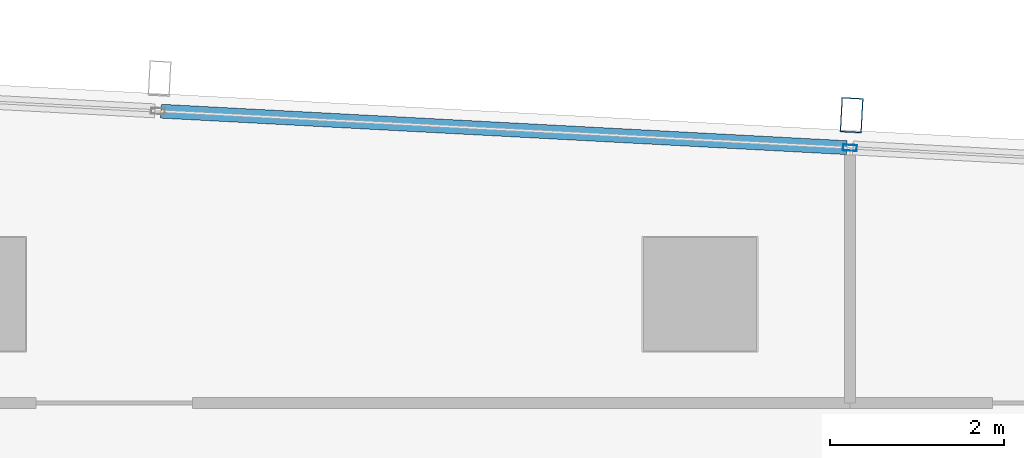
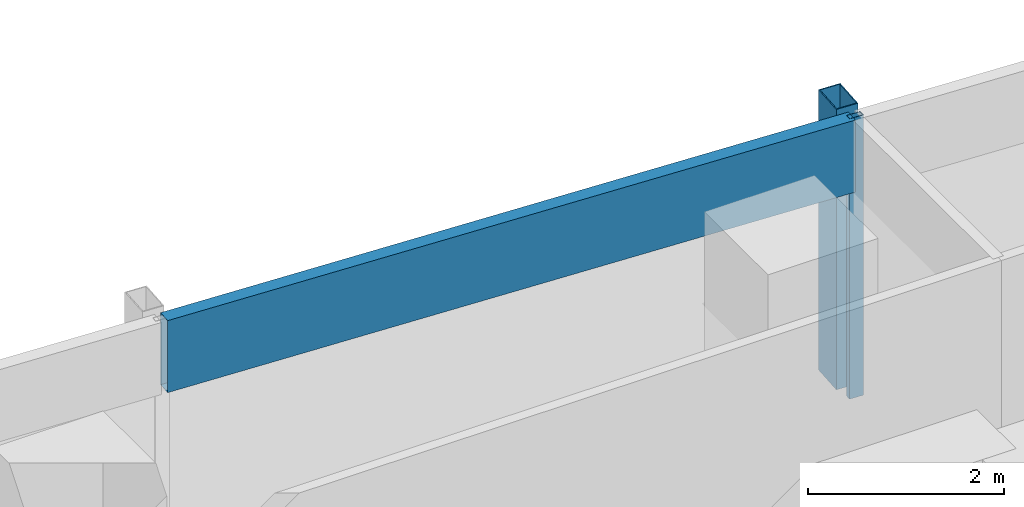
# One storey, part 19 of 29: 3 members, 1 element without a shape of its own.
"""IFC4 building model written with IfcOpenShell, lengths in metres."""

from ifc_helpers import new_model, si_unit, direction, frame, origin, origin_2d, place, context, subcontext, project, spatial, hollow_rectangle, extrude, material, material_profile, profile_set, type_object, element, aggregate, save


model = new_model("IFC4")

# Units and contexts
model_context = context("Model", 3, precision=1e-05, world=origin(), true_north=direction((0.0, 1.0)))
body_context = subcontext(model_context, "Body", "Model", "MODEL_VIEW")
ifc_project = project(units=[si_unit("LENGTHUNIT", "METRE"), si_unit("AREAUNIT", "SQUARE_METRE"), si_unit("VOLUMEUNIT", "CUBIC_METRE"), si_unit("PLANEANGLEUNIT", "RADIAN"), si_unit("MASSUNIT", "GRAM", prefix="KILO")], contexts=[model_context])

# Site, building, storey
site_placement = place(None, origin())
site = spatial("IfcSite", under=ifc_project, at=site_placement, CompositionType="ELEMENT")
building_placement = place(site_placement, origin())
building = spatial("IfcBuilding", under=site, at=building_placement, Name="Rekha Terrace Tower", CompositionType="ELEMENT")
storey_placement = place(building_placement, frame((0.0, 0.0, 280.10009765625)))
storey = spatial("IfcBuildingStorey", under=building, at=storey_placement, Name="L71", CompositionType="ELEMENT", Elevation=280.10009765625)

# Curtain wall, members
ifc_material_1 = material(Name="Aluminium framing", Category="aluminium")
curtain_wall_type = type_object("IfcCurtainWallType", Name="CW3 north unitised glazing", PredefinedType="USERDEFINED", material=ifc_material_1)
curtain_wall_placement = place(storey_placement, origin())
curtain_wall = element("IfcCurtainWall", 1, at=curtain_wall_placement, inside=storey, type_object=curtain_wall_type, Name="CW3 unitised curtain wall", ObjectType="UNITISED CURTAIN WALL", PredefinedType="USERDEFINED")
ifc_material_2 = material(Name="Steel S355 with fluorocarbon finish", Category="steel")
ifc_material_profile_1 = material_profile(ifc_material_2, hollow_rectangle(XDim=0.25, YDim=0.39990234375, WallThickness=0.012451171875, at=origin_2d()), Name="RHS400x250x12.5")
ifc_profile_set_1 = profile_set([ifc_material_profile_1], Name="Steel S355 with fluorocarbon finish")
member_type_1 = type_object("IfcMemberType", Name="BL1 facade blade RHS 400 x 250", PredefinedType="USERDEFINED", material=ifc_profile_set_1)
member_1_placement = place(storey_placement, frame((52.142822265625, 52.456298828125, 0.0), z_axis=(0.0, 0.0, 1.0), x_axis=(-0.998590068481, 0.053083661621, 0.0)))
member_1 = element("IfcMember", 2, at=member_1_placement, type_object=member_type_1, Name="Facade blade", ObjectType="FACADE BLADE", PredefinedType="USERDEFINED", context=body_context, shape_type="SweptSolid", body=[
    extrude(hollow_rectangle(XDim=0.25, YDim=0.39990234375, WallThickness=0.012451171875, at=origin_2d()), origin(), (0.0, 0.0, 1.0), 3.5),
])
ifc_material_3 = material(Name="Aluminium mullion section", Category="aluminium")
ifc_material_profile_2 = material_profile(ifc_material_3, hollow_rectangle(XDim=0.070068359375, YDim=0.159912109375, WallThickness=0.00390625, at=origin_2d()), Name="AL RHS 70x160")
ifc_profile_set_2 = profile_set([ifc_material_profile_2], Name="Aluminium mullion section")
member_type_2 = type_object("IfcMemberType", Name="CW3 mullion RHS 70 x 160", PredefinedType="MULLION", material=ifc_profile_set_2)
member_2_placement = place(storey_placement, frame((52.122802734375, 52.081787109375, 0.0), z_axis=(0.0, 0.0, 1.0), x_axis=(-0.053083275524, -0.998590089005, 0.0)))
member_2 = element("IfcMember", 3, at=member_2_placement, type_object=member_type_2, Name="CW3 mullion 2", PredefinedType="MULLION", context=body_context, shape_type="SweptSolid", body=[
    extrude(hollow_rectangle(XDim=0.070068359375, YDim=0.159912109375, WallThickness=0.00390625, at=origin_2d()), origin(), (0.0, 0.0, 1.0), 3.5),
])
ifc_material_4 = material(Name="Insulated aluminium spandrel box", Category="aluminium")
ifc_material_profile_3 = material_profile(ifc_material_4, hollow_rectangle(XDim=0.159912109375, YDim=0.89990234375, WallThickness=0.0029296875, at=origin_2d()), Name="AL SPANDREL BOX 160x900")
ifc_profile_set_3 = profile_set([ifc_material_profile_3], Name="Insulated aluminium spandrel box")
member_type_3 = type_object("IfcMemberType", Name="CW3 spandrel transom 160 x 900", PredefinedType="USERDEFINED", material=ifc_profile_set_3)
member_3_placement = place(storey_placement, frame((52.087890625, 52.08349609375, 3.0498046875), z_axis=(-0.998589741295, 0.053089816156, 0.0), x_axis=(-0.053089816156, -0.998589741295, 0.0)))
member_3 = element("IfcMember", 4, at=member_3_placement, type_object=member_type_3, Name="CW3 spandrel transom 2", ObjectType="TRANSOM", PredefinedType="USERDEFINED", context=body_context, shape_type="SweptSolid", body=[
    extrude(hollow_rectangle(XDim=0.159912109375, YDim=0.89990234375, WallThickness=0.0029296875, at=origin_2d()), origin(), (0.0, 0.0, 1.0), 7.891357421875),
])
aggregate(curtain_wall, [member_2, member_3, member_1])

save(model, "model.ifc")
